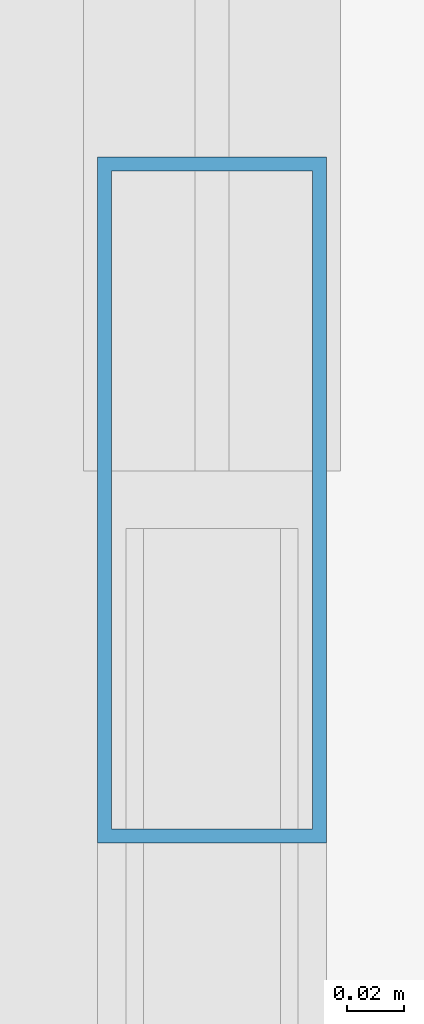
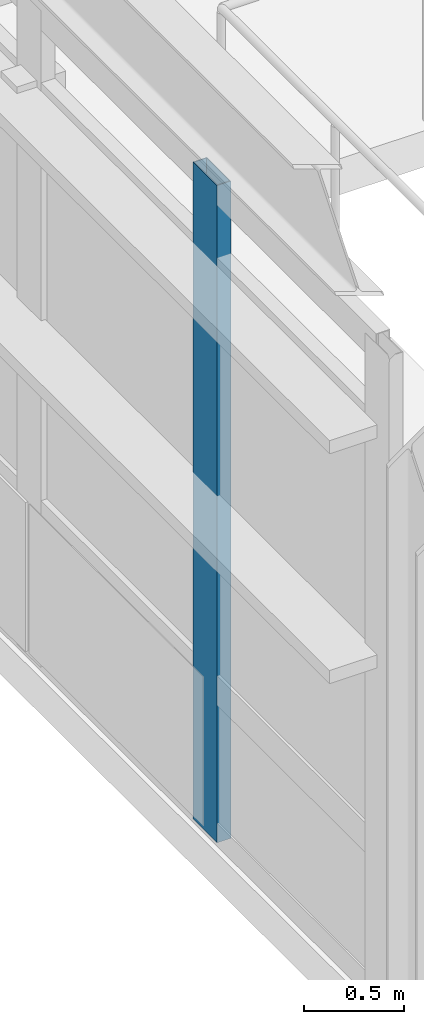
# One storey, part 21 of 56: 1 member, 1 element without a shape of its own.
"""IFC4 building model written with IfcOpenShell, lengths in metres."""

import ifcopenshell
import ifcopenshell.guid

model = None  # the IFC model being written
_history = None  # IfcOwnerHistory: only IFC2X3 demands one
_inside = {}  # id of a spatial element -> (the spatial element, [elements in it])
_under = {}  # id of a project, library or spatial element -> (it, [spatial elements below it])
_declared = {}  # id of a project -> (the project, [libraries it declares])
_typed = {}  # id of a type object -> (the type object, [elements of that type])
_made_of = {}  # id of a material, layer set ... -> (it, [elements and type objects made of it])


def new_model(schema):
    """Start an empty IFC model of exactly this schema.

    Asked for "IFC4X3", IfcOpenShell would pick the latest addendum, in which some entities
    have other attributes; the version numbers below select the first issue.
    IFC2X3 requires an IfcOwnerHistory on every rooted entity: one is made here for all.
    """
    global model, _history
    if schema == "IFC4X3":
        model = ifcopenshell.file(schema_version=(4, 3, 0, 0))
    else:
        model = ifcopenshell.file(schema=schema)
    _inside.clear()
    _under.clear()
    _declared.clear()
    _typed.clear()
    _made_of.clear()
    _history = None
    if model.schema == "IFC2X3":
        org = make("IfcOrganization", Name="unknown")
        user = make(
            "IfcPersonAndOrganization",
            ThePerson=make("IfcPerson", FamilyName="unknown"),
            TheOrganization=org,
        )
        app = make(
            "IfcApplication",
            ApplicationDeveloper=org,
            Version="unknown",
            ApplicationFullName="unknown",
            ApplicationIdentifier="unknown",
        )
        _history = make(
            "IfcOwnerHistory",
            OwningUser=user,
            OwningApplication=app,
            ChangeAction="ADDED",
            CreationDate=0,
        )
    return model


def make(cls, **values):
    """One entity of the class cls with the attributes given. An attribute that is None is left unset."""
    return model.create_entity(
        cls, **{name: value for name, value in values.items() if value is not None}
    )


def rooted(cls, **values):
    """An entity with a GlobalId (a new one), such as an element, a storey or a relation."""
    return make(cls, GlobalId=ifcopenshell.guid.new(), OwnerHistory=_history, **values)


def si_unit(unit_type, name, prefix=None):
    """IfcSIUnit, for example si_unit("LENGTHUNIT", "METRE", prefix="MILLI")."""
    return make("IfcSIUnit", UnitType=unit_type, Prefix=prefix, Name=name)


def assignment(units):
    """IfcUnitAssignment: the units of a project."""
    return None if units is None else make("IfcUnitAssignment", Units=units)


def point(xyz):
    """IfcCartesianPoint."""
    return None if xyz is None else make("IfcCartesianPoint", Coordinates=xyz)


def direction(xyz):
    """IfcDirection."""
    return None if xyz is None else make("IfcDirection", DirectionRatios=xyz)


def frame(location, z_axis=None, x_axis=None):
    """IfcAxis2Placement3D, a coordinate frame: its origin and axes. An axis left out is left unset."""
    return make(
        "IfcAxis2Placement3D",
        Location=point(location),
        Axis=direction(z_axis),
        RefDirection=direction(x_axis),
    )


def frame_2d(location, x_axis=None):
    """IfcAxis2Placement2D, a coordinate frame in the plane: its origin and x axis."""
    return make(
        "IfcAxis2Placement2D", Location=point(location), RefDirection=direction(x_axis)
    )


def origin():
    """The frame at (0, 0, 0) with its axes left unset."""
    return frame((0.0, 0.0, 0.0))


def origin_2d():
    """The frame at (0, 0) in the plane with its x axis left unset."""
    return frame_2d((0.0, 0.0))


def place(relative_to, where):
    """IfcLocalPlacement: puts the frame where relative to a parent placement (None: the world)."""
    return make(
        "IfcLocalPlacement", PlacementRelTo=relative_to, RelativePlacement=where
    )


def context(
    kind, dimensions, precision=None, world=None, true_north=None, identifier=None
):
    """IfcGeometricRepresentationContext, for example the 3D "Model" context."""
    return make(
        "IfcGeometricRepresentationContext",
        ContextIdentifier=identifier,
        ContextType=kind,
        CoordinateSpaceDimension=dimensions,
        Precision=precision,
        WorldCoordinateSystem=world,
        TrueNorth=true_north,
    )


def subcontext(parent, identifier, kind, view, scale=None):
    """IfcGeometricRepresentationSubContext, for example "Body" below "Model"."""
    return make(
        "IfcGeometricRepresentationSubContext",
        ContextIdentifier=identifier,
        ContextType=kind,
        ParentContext=parent,
        TargetScale=scale,
        TargetView=view,
    )


def project(units=None, contexts=None):
    """IfcProject with its units and contexts."""
    return rooted(
        "IfcProject",
        Name="project",
        RepresentationContexts=contexts,
        UnitsInContext=assignment(units),
    )


def spatial(cls, under=None, at=None, **own):
    """A site, building, storey or space (cls), placed at a placement, below another one or the project."""
    s = rooted(cls, ObjectPlacement=at, **own)
    if under is not None:
        _under.setdefault(under.id(), (under, []))[1].append(s)
    return s


def profile(cls, at=None, kind="AREA", **sizes):
    """A parametric profile (cls). Its sizes go by their IFC names, for example OverallWidth=200.0."""
    return make(cls, ProfileType=kind, Position=at, **sizes)


def hollow_rectangle(**sizes):
    """IfcRectangleHollowProfileDef."""
    return profile("IfcRectangleHollowProfileDef", **sizes)


def extrude(swept, where, along, depth):
    """IfcExtrudedAreaSolid: the profile swept, set in the frame where, extruded along a direction by depth."""
    return make(
        "IfcExtrudedAreaSolid",
        SweptArea=swept,
        Position=where,
        ExtrudedDirection=direction(along),
        Depth=depth,
    )


def shape(context_of_items, identifier, shape_type, items):
    """IfcShapeRepresentation: the items that make up one representation, for example the "Body"."""
    return make(
        "IfcShapeRepresentation",
        ContextOfItems=context_of_items,
        RepresentationIdentifier=identifier,
        RepresentationType=shape_type,
        Items=items,
    )


def material(Name=None, Category=None):
    """IfcMaterial."""
    return make("IfcMaterial", Name=Name, Category=Category)


def material_profile(
    of_material, cross_section, Name=None, Category=None, Priority=None
):
    """IfcMaterialProfile: a cross section and its material."""
    return make(
        "IfcMaterialProfile",
        Name=Name,
        Material=of_material,
        Profile=cross_section,
        Priority=Priority,
        Category=Category,
    )


def profile_set(profiles, Name=None, composite=None):
    """IfcMaterialProfileSet."""
    return make(
        "IfcMaterialProfileSet",
        Name=Name,
        MaterialProfiles=profiles,
        CompositeProfile=composite,
    )


def made_of(thing, what):
    """Note that an element or type object is made of a material, layer set ...; save() writes the relation."""
    if what is not None:
        _made_of.setdefault(what.id(), (what, []))[1].append(thing)
    return thing


def type_object(cls, material=None, **own):
    """A type object (cls), such as IfcWallType, which elements share."""
    return made_of(rooted(cls, **own), material)


def element(
    cls,
    number,
    at=None,
    inside=None,
    cuts=None,
    type_object=None,
    material=None,
    context=None,
    identifier="Body",
    shape_type=None,
    held_by="IfcProductDefinitionShape",
    body=None,
    shapes=None,
    **own,
):
    """One element of the class cls, such as IfcWall. Its Tag is "e" and its number.

    at: its placement. inside: the storey or other place that contains it. cuts: it is an
    opening in that element (IfcRelVoidsElement). A single representation is given by context,
    identifier, shape_type and body (its items); several are given by shapes. held_by: the class
    of the entity that holds the representations. save() writes the other relations.
    """
    e = rooted(cls, Tag="e%d" % number, ObjectPlacement=at, **own)
    if body is not None:
        shapes = [shape(context, identifier, shape_type, body)]
    if shapes is not None:
        e.Representation = make(held_by, Representations=shapes)
    if inside is not None:
        _inside.setdefault(inside.id(), (inside, []))[1].append(e)
    if cuts is not None:
        rooted(
            "IfcRelVoidsElement", RelatingBuildingElement=cuts, RelatedOpeningElement=e
        )
    if type_object is not None:
        _typed.setdefault(type_object.id(), (type_object, []))[1].append(e)
    return made_of(e, material)


def aggregate(whole, parts):
    """IfcRelAggregates: a whole, such as a stair, and the parts it consists of."""
    return rooted("IfcRelAggregates", RelatingObject=whole, RelatedObjects=parts)


def save(model, path):
    """Write the relations noted so far, then the file.

    IfcRelAggregates (storeys below a building ...), IfcRelContainedInSpatialStructure (elements
    in a storey), IfcRelDefinesByType, IfcRelAssociatesMaterial and IfcRelDeclares: one each for
    every whole, place, type object, material and project.
    """
    for whole, parts in _under.values():
        aggregate(whole, parts)
    for where, things in _inside.values():
        rooted(
            "IfcRelContainedInSpatialStructure",
            RelatedElements=things,
            RelatingStructure=where,
        )
    for kind, things in _typed.values():
        rooted("IfcRelDefinesByType", RelatedObjects=things, RelatingType=kind)
    for what, things in _made_of.values():
        rooted("IfcRelAssociatesMaterial", RelatedObjects=things, RelatingMaterial=what)
    for by, libraries in _declared.values():
        rooted("IfcRelDeclares", RelatingContext=by, RelatedDefinitions=libraries)
    model.write(path)


model = new_model("IFC4")

# Units and contexts
model_context = context("Model", 3, precision=1e-05, world=origin(), true_north=direction((0.0, 1.0)))
body_context = subcontext(model_context, "Body", "Model", "MODEL_VIEW")
ifc_project = project(units=[si_unit("LENGTHUNIT", "METRE"), si_unit("AREAUNIT", "SQUARE_METRE"), si_unit("VOLUMEUNIT", "CUBIC_METRE"), si_unit("PLANEANGLEUNIT", "RADIAN"), si_unit("MASSUNIT", "GRAM", prefix="KILO"), si_unit("THERMODYNAMICTEMPERATUREUNIT", "KELVIN"), si_unit("POWERUNIT", "WATT")], contexts=[model_context])

# Site, building, storey
site_placement = place(None, origin())
site = spatial("IfcSite", under=ifc_project, at=site_placement, CompositionType="ELEMENT")
building_placement = place(site_placement, origin())
building = spatial("IfcBuilding", under=site, at=building_placement, Name="Tepalcoro Natatorium and Aquatics Centre", CompositionType="ELEMENT")
storey_placement = place(building_placement, frame((0.0, 0.0, 14.800048828125)))
storey = spatial("IfcBuildingStorey", under=building, at=storey_placement, Name="L03", CompositionType="ELEMENT", Elevation=14.800048828125)

# Curtain wall, member
ifc_material = material(Name="Bronze-Anodised Extruded Aluminium Alloy EN AW-6063 T6", Category="aluminium")
curtain_wall_type = type_object("IfcCurtainWallType", Name="CW_LEAN_T2_EW", PredefinedType="USERDEFINED", material=ifc_material)
curtain_wall_placement = place(storey_placement, origin())
curtain_wall = element("IfcCurtainWall", 1, at=curtain_wall_placement, inside=storey, type_object=curtain_wall_type, Name="V2 L03 W Unitised Curtain Wall Bay 5", ObjectType="FACETED SOLAR GLAZING", PredefinedType="USERDEFINED")
ifc_material_profile = material_profile(ifc_material, hollow_rectangle(XDim=0.080078125, YDim=0.239990234375, WallThickness=0.0048828125, at=origin_2d()), Name="AL80X240X5")
ifc_profile_set = profile_set([ifc_material_profile], Name="Bronze-Anodised Extruded Aluminium Alloy EN AW-6063 T6")
member_type = type_object("IfcMemberType", Name="CW_MUL_80x240", PredefinedType="MULLION", material=ifc_profile_set)
member_placement = place(storey_placement, frame((142.0712890625, 38.239990234375, 0.02001953125), z_axis=(0.0, 0.0, 1.0), x_axis=(1.0, 0.0, 0.0)))
member = element("IfcMember", 2, at=member_placement, type_object=member_type, Name="CW_LEAN_T2_EW Curtain Wall Mullion", PredefinedType="MULLION", context=body_context, shape_type="SweptSolid", body=[
    extrude(hollow_rectangle(XDim=0.080078125, YDim=0.239990234375, WallThickness=0.0048828125, at=origin_2d()), origin(), (0.0, 0.0, 1.0), 4.010009765625),
])
aggregate(curtain_wall, [member])

save(model, "model.ifc")
